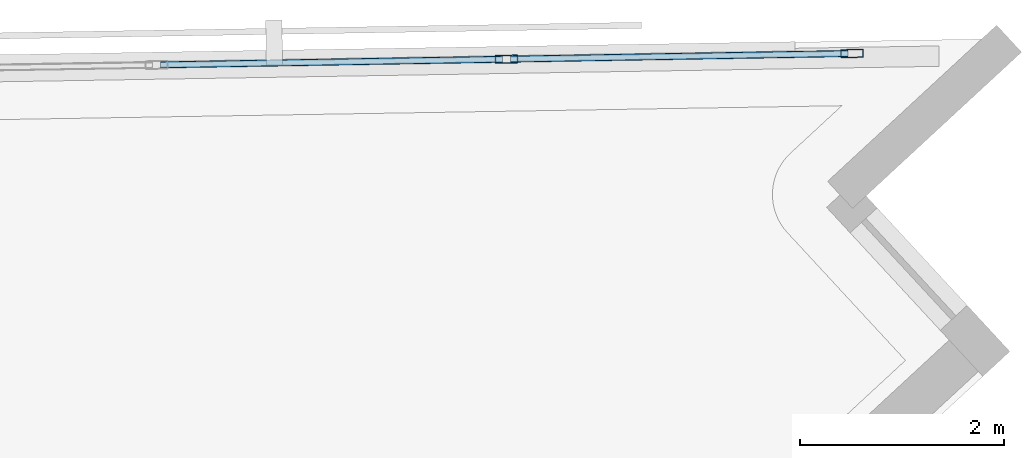
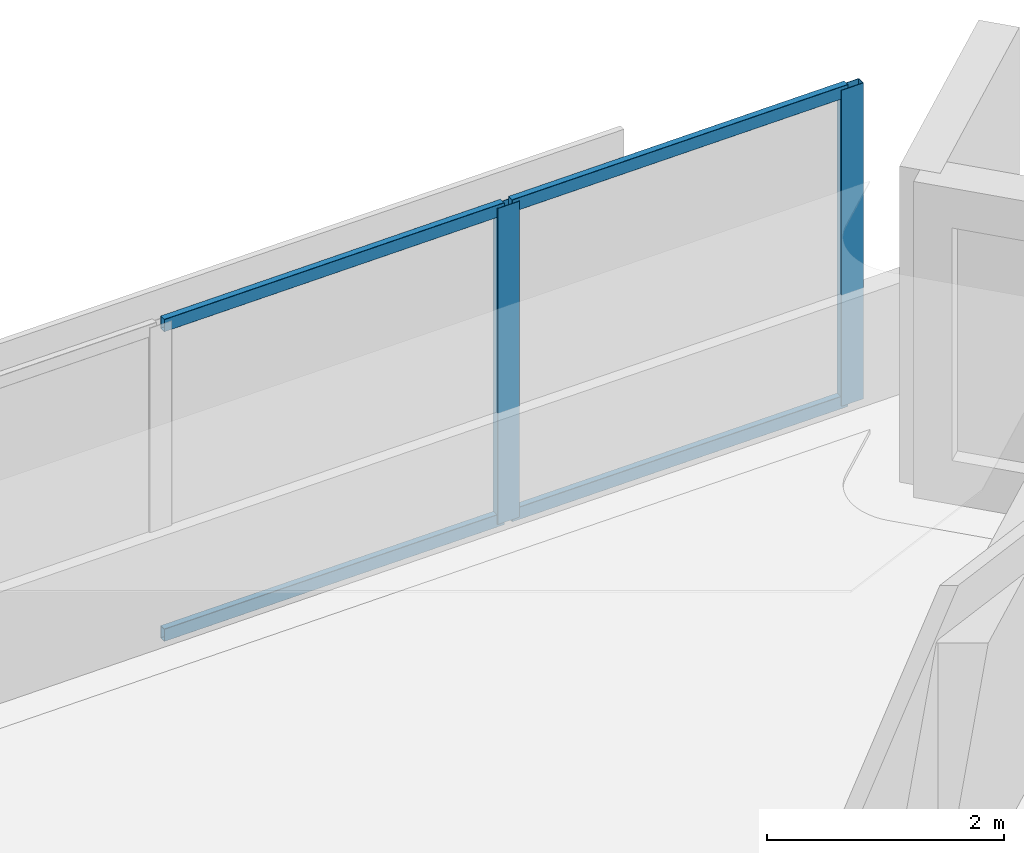
# One storey, part 6 of 13: 6 members, 1 element without a shape of its own.
"""IFC4 building model written with IfcOpenShell, lengths in metres."""

from ifc_helpers import new_model, si_unit, direction, frame, origin, origin_2d, place, context, subcontext, project, spatial, hollow_rectangle, extrude, material, material_profile, profile_set, type_object, element, aggregate, save


model = new_model("IFC4")

# Units and contexts
model_context = context("Model", 3, precision=1e-05, world=origin(), true_north=direction((0.0, 1.0)))
body_context = subcontext(model_context, "Body", "Model", "MODEL_VIEW")
ifc_project = project(units=[si_unit("LENGTHUNIT", "METRE"), si_unit("AREAUNIT", "SQUARE_METRE"), si_unit("VOLUMEUNIT", "CUBIC_METRE"), si_unit("PLANEANGLEUNIT", "RADIAN"), si_unit("MASSUNIT", "GRAM", prefix="KILO")], contexts=[model_context])

# Site, building, storey
site_placement = place(None, origin())
site = spatial("IfcSite", under=ifc_project, at=site_placement, CompositionType="ELEMENT")
building_placement = place(site_placement, origin())
building = spatial("IfcBuilding", under=site, at=building_placement, Name="Narakoshi Arena Tower", CompositionType="ELEMENT")
storey_placement = place(building_placement, frame((0.0, 0.0, 264.260009765625)))
storey = spatial("IfcBuildingStorey", under=building, at=storey_placement, Name="L72", CompositionType="ELEMENT", Elevation=264.260009765625)

# Curtain wall, members
ifc_material = material(Name="Anodised bronze aluminium 6063-T6", Category="aluminium")
curtain_wall_type = type_object("IfcCurtainWallType", Name="CW-HYP-HIGH", PredefinedType="NOTDEFINED", material=ifc_material)
curtain_wall_placement = place(storey_placement, origin())
curtain_wall = element("IfcCurtainWall", 1, at=curtain_wall_placement, inside=storey, type_object=curtain_wall_type, Name="L72 Folded Hypotenuse Curtain Wall 1-1", PredefinedType="NOTDEFINED")
ifc_material_profile_1 = material_profile(ifc_material, hollow_rectangle(XDim=0.080078125, YDim=0.219970703125, WallThickness=0.0048828125, OuterFilletRadius=0.006103515625, at=origin_2d()), Name="MUL220x80x5")
ifc_profile_set_1 = profile_set([ifc_material_profile_1], Name="Anodised bronze aluminium 6063-T6")
member_type_1 = type_object("IfcMemberType", Name="MEM-MUL-220", PredefinedType="MULLION", material=ifc_profile_set_1)
member_1_placement = place(storey_placement, frame((110.4189453125, 64.11767578125, 0.0), z_axis=(0.0, 0.0, 1.0), x_axis=(0.016442997569, -0.999864804777, 0.0)))
member_1 = element("IfcMember", 2, at=member_1_placement, type_object=member_type_1, Name="CW-03 mullion 1", PredefinedType="MULLION", context=body_context, shape_type="SweptSolid", body=[
    extrude(hollow_rectangle(XDim=0.080078125, YDim=0.219970703125, WallThickness=0.0048828125, OuterFilletRadius=0.006103515625, at=origin_2d()), origin(), (0.0, 0.0, 1.0), 3.260009765625),
])
member_2_placement = place(storey_placement, frame((107.031494140625, 64.06201171875, 0.0), z_axis=(0.0, 0.0, 1.0), x_axis=(0.016442997569, -0.999864804777, 0.0)))
member_2 = element("IfcMember", 3, at=member_2_placement, type_object=member_type_1, Name="CW-03 mullion 2", PredefinedType="MULLION", context=body_context, shape_type="SweptSolid", body=[
    extrude(hollow_rectangle(XDim=0.080078125, YDim=0.219970703125, WallThickness=0.0048828125, OuterFilletRadius=0.006103515625, at=origin_2d()), origin(), (0.0, 0.0, 1.0), 3.260009765625),
])
ifc_material_profile_2 = material_profile(ifc_material, hollow_rectangle(XDim=0.06494140625, YDim=0.1298828125, WallThickness=0.00390625, OuterFilletRadius=0.0048828125, at=origin_2d()), Name="TRN130x65x4")
ifc_profile_set_2 = profile_set([ifc_material_profile_2], Name="Anodised bronze aluminium 6063-T6")
member_type_2 = type_object("IfcMemberType", Name="MEM-TRN-130", PredefinedType="USERDEFINED", material=ifc_profile_set_2)
member_3_placement = place(storey_placement, frame((110.37890625, 64.1171875, 0.032470703125), z_axis=(-0.999864541825, -0.016458979318, 0.0), x_axis=(0.016458979318, -0.999864541825, 0.0)))
member_3 = element("IfcMember", 4, at=member_3_placement, type_object=member_type_2, Name="CW-03 transom 1.1", ObjectType="TRANSOM", PredefinedType="USERDEFINED", context=body_context, shape_type="SweptSolid", body=[
    extrude(hollow_rectangle(XDim=0.06494140625, YDim=0.1298828125, WallThickness=0.00390625, OuterFilletRadius=0.0048828125, at=origin_2d()), origin(), (0.0, 0.0, 1.0), 3.307861328125),
])
member_4_placement = place(storey_placement, frame((110.37890625, 64.1171875, 3.2275390625), z_axis=(-0.999864541825, -0.016458979318, 0.0), x_axis=(0.016458979318, -0.999864541825, 0.0)))
member_4 = element("IfcMember", 5, at=member_4_placement, type_object=member_type_2, Name="CW-03 transom 1.2", ObjectType="TRANSOM", PredefinedType="USERDEFINED", context=body_context, shape_type="SweptSolid", body=[
    extrude(hollow_rectangle(XDim=0.06494140625, YDim=0.1298828125, WallThickness=0.00390625, OuterFilletRadius=0.0048828125, at=origin_2d()), origin(), (0.0, 0.0, 1.0), 3.307861328125),
])
member_5_placement = place(storey_placement, frame((106.99169921875, 64.061279296875, 0.032470703125), z_axis=(-0.999865380158, -0.01640797247, 0.0), x_axis=(0.01640797247, -0.999865380158, 0.0)))
member_5 = element("IfcMember", 6, at=member_5_placement, type_object=member_type_2, Name="CW-03 transom 2.1", ObjectType="TRANSOM", PredefinedType="USERDEFINED", context=body_context, shape_type="SweptSolid", body=[
    extrude(hollow_rectangle(XDim=0.06494140625, YDim=0.1298828125, WallThickness=0.00390625, OuterFilletRadius=0.0048828125, at=origin_2d()), origin(), (0.0, 0.0, 1.0), 3.347900390625),
])
member_6_placement = place(storey_placement, frame((106.99169921875, 64.061279296875, 3.2275390625), z_axis=(-0.999865380158, -0.01640797247, 0.0), x_axis=(0.01640797247, -0.999865380158, 0.0)))
member_6 = element("IfcMember", 7, at=member_6_placement, type_object=member_type_2, Name="CW-03 transom 2.2", ObjectType="TRANSOM", PredefinedType="USERDEFINED", context=body_context, shape_type="SweptSolid", body=[
    extrude(hollow_rectangle(XDim=0.06494140625, YDim=0.1298828125, WallThickness=0.00390625, OuterFilletRadius=0.0048828125, at=origin_2d()), origin(), (0.0, 0.0, 1.0), 3.347900390625),
])
aggregate(curtain_wall, [member_1, member_2, member_3, member_4, member_5, member_6])

save(model, "model.ifc")
